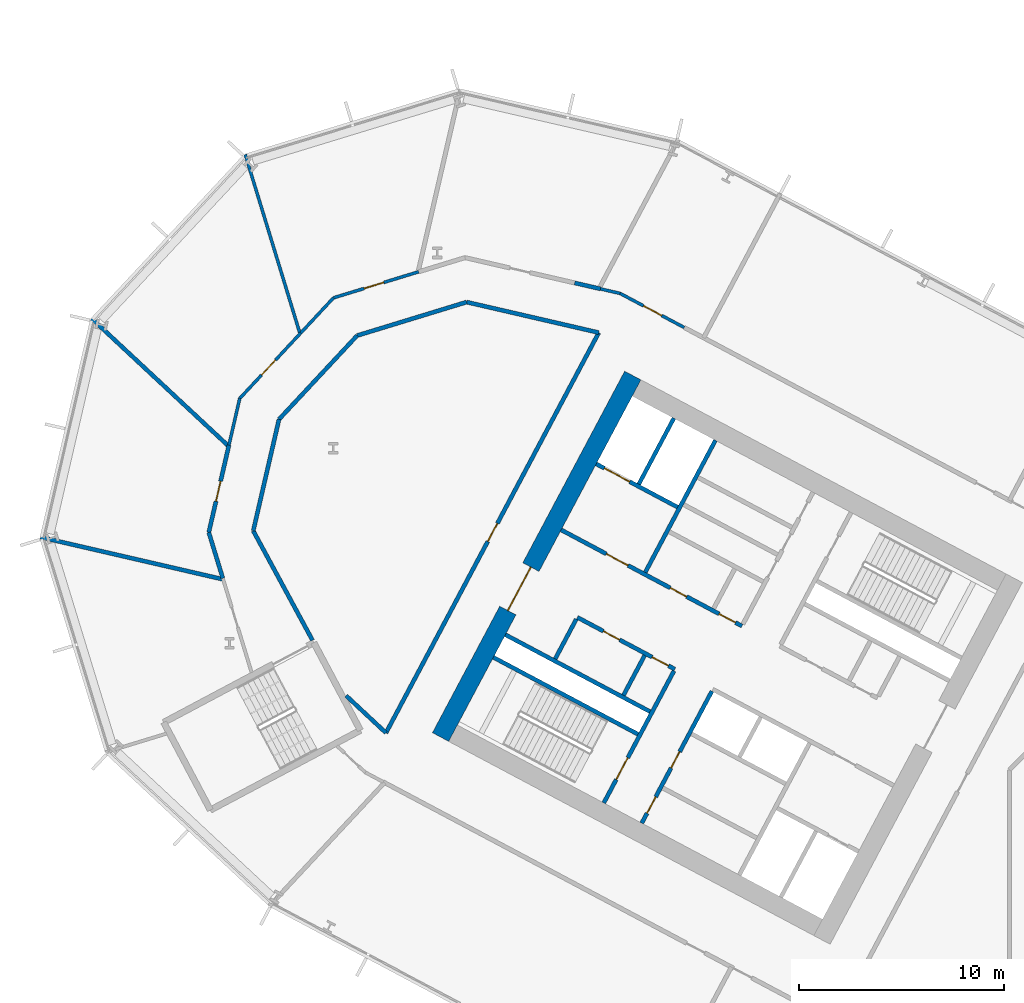
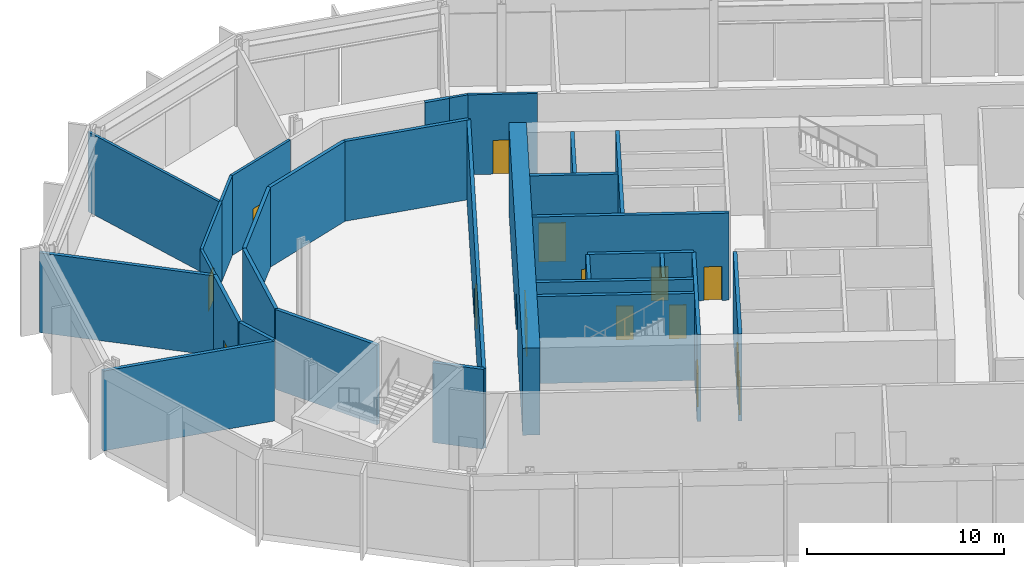
# One storey, part 13 of 31: 31 walls, 15 doors, 15 openings.
"""IFC4 building model written with IfcOpenShell, lengths in metres."""

from ifc_helpers import new_model, si_unit, direction, frame, frame_2d, origin, place, context, subcontext, project, spatial, rectangle, extrude, material, layer, layer_set, type_object, element, fill, save


model = new_model("IFC4")

# Units and contexts
model_context = context("Model", 3, precision=1e-05, world=origin(), true_north=direction((0.0, 1.0)))
body_context = subcontext(model_context, "Body", "Model", "MODEL_VIEW")
ifc_project = project(units=[si_unit("LENGTHUNIT", "METRE"), si_unit("AREAUNIT", "SQUARE_METRE"), si_unit("VOLUMEUNIT", "CUBIC_METRE"), si_unit("PLANEANGLEUNIT", "RADIAN"), si_unit("MASSUNIT", "GRAM", prefix="KILO")], contexts=[model_context])

# Site, building, storey
site_placement = place(None, origin())
site = spatial("IfcSite", under=ifc_project, at=site_placement, CompositionType="ELEMENT")
building_placement = place(site_placement, origin())
building = spatial("IfcBuilding", under=site, at=building_placement, Name="Cormorant Relay Tower", CompositionType="ELEMENT")
storey_placement = place(building_placement, frame((0.0, 0.0, 12.199951171875)))
storey = spatial("IfcBuildingStorey", under=building, at=storey_placement, Name="L02", CompositionType="ELEMENT", Elevation=12.199951171875)

# Wall
ifc_material_1 = material(Name="Concrete 40 MPa", Category="concrete")
ifc_layer_1 = layer(ifc_material_1, 0.199951171875)
ifc_layer_set_1 = layer_set([ifc_layer_1], Name="Core internal wall 200")
wall_type_1 = type_object("IfcWallType", Name="Core internal wall 200", PredefinedType="SOLIDWALL", material=ifc_layer_set_1)
wall_1_placement = place(storey_placement, frame((-31.41259765625, 14.663818359375, 0.0), z_axis=(0.0, 0.0, 1.0), x_axis=(-0.469533832133, -0.882914480843, 0.0)))
element("IfcWall", 1, at=wall_1_placement, inside=storey, type_object=wall_type_1, Name="L02 core A shaft and room wall", PredefinedType="SOLIDWALL", context=body_context, shape_type="SweptSolid", body=[
    extrude(rectangle(XDim=2.199951171875, YDim=0.199951171875, at=frame_2d((1.10009765625, 0.0))), origin(), (0.0, 0.0, 1.0), 5.400146484375),
])

# Wall, openings, doors
ifc_material_2 = material(Name="Concrete 50 MPa", Category="concrete")
ifc_layer_2 = layer(ifc_material_2, 0.199951171875)
ifc_layer_set_2 = layer_set([ifc_layer_2], Name="Core shaft wall 200")
wall_type_2 = type_object("IfcWallType", Name="Core shaft wall 200", PredefinedType="SHEAR", material=ifc_layer_set_2)
wall_2_placement = place(storey_placement, frame((-28.128173828125, 12.91748046875, 0.0), z_axis=(0.0, 0.0, 1.0), x_axis=(-0.469454336211, -0.882956752176, 0.0)))
wall_2 = element("IfcWall", 2, at=wall_2_placement, inside=storey, type_object=wall_type_2, Name="L02 core A shaft wall", PredefinedType="SHEAR", context=body_context, shape_type="SweptSolid", body=[
    extrude(rectangle(XDim=7.300048828125, YDim=0.199951171875, at=frame_2d((3.64990234375, 0.0))), origin(), (0.0, 0.0, 1.0), 5.400146484375),
])
opening_1_placement = place(wall_2_placement, frame((3.35009765625, 0.0, 0.0)))
opening_1 = element("IfcOpeningElement", 3, at=opening_1_placement, cuts=wall_2, Name="Opening CDD-069", PredefinedType="OPENING", context=body_context, shape_type="SweptSolid", body=[
    extrude(rectangle(XDim=0.89990234375, YDim=2.10009765625, at=frame_2d((0.449951171875, 1.050048828125))), frame((0.0, 0.10986328125, 0.0), z_axis=(0.0, -1.0, 0.0), x_axis=(1.0, 0.0, 0.0)), (0.0, 0.0, 1.0), 0.219970703125),
])
opening_2_placement = place(wall_2_placement, frame((5.85009765625, 0.0, 0.0)))
opening_2 = element("IfcOpeningElement", 4, at=opening_2_placement, cuts=wall_2, Name="Opening CDD-070", PredefinedType="OPENING", context=body_context, shape_type="SweptSolid", body=[
    extrude(rectangle(XDim=0.89990234375, YDim=2.10009765625, at=frame_2d((0.449951171875, 1.050048828125))), frame((0.0, 0.10986328125, 0.0), z_axis=(0.0, -1.0, 0.0), x_axis=(1.0, 0.0, 0.0)), (0.0, 0.0, 1.0), 0.219970703125),
])
ifc_material_3 = material(Name="Steel fire door", Category="steel")
door_type_1 = type_object("IfcDoorType", Name="Core room door 900x2100", OperationType="SINGLE_SWING_LEFT", PredefinedType="DOOR", material=ifc_material_3)
door_1_placement = place(opening_1_placement, origin())
door_1 = element("IfcDoor", 5, at=door_1_placement, inside=storey, type_object=door_type_1, Name="Core room door 900x2100", OperationType="SINGLE_SWING_LEFT", OverallHeight=2.10009765625, OverallWidth=0.89990234375, PredefinedType="DOOR", context=body_context, shape_type="SweptSolid", body=[
    extrude(rectangle(XDim=0.89990234375, YDim=2.10009765625, at=frame_2d((0.449951171875, 1.050048828125))), frame((0.0, 0.02490234375, 0.0), z_axis=(0.0, -1.0, 0.0), x_axis=(1.0, 0.0, 0.0)), (0.0, 0.0, 1.0), 0.050048828125),
])
fill(opening_1, door_1)
door_2_placement = place(opening_2_placement, origin())
door_2 = element("IfcDoor", 6, at=door_2_placement, inside=storey, type_object=door_type_1, Name="Core room door 900x2100", OperationType="SINGLE_SWING_LEFT", OverallHeight=2.10009765625, OverallWidth=0.89990234375, PredefinedType="DOOR", context=body_context, shape_type="SweptSolid", body=[
    extrude(rectangle(XDim=0.89990234375, YDim=2.10009765625, at=frame_2d((0.449951171875, 1.050048828125))), frame((0.0, 0.02490234375, 0.0), z_axis=(0.0, -1.0, 0.0), x_axis=(1.0, 0.0, 0.0)), (0.0, 0.0, 1.0), 0.050048828125),
])
fill(opening_2, door_2)

# Wall, opening, door
wall_3_placement = place(storey_placement, frame((-29.982421875, 13.9033203125, 0.0), z_axis=(0.0, 0.0, 1.0), x_axis=(-0.469454336211, -0.882956752176, 0.0)))
wall_3 = element("IfcWall", 7, at=wall_3_placement, inside=storey, type_object=wall_type_2, Name="L02 core A shaft wall", PredefinedType="SHEAR", context=body_context, shape_type="SweptSolid", body=[
    extrude(rectangle(XDim=7.300048828125, YDim=0.199951171875, at=frame_2d((3.64990234375, 0.0))), origin(), (0.0, 0.0, 1.0), 5.400146484375),
])
opening_3_placement = place(wall_3_placement, frame((4.800048828125, 0.0, 0.0)))
opening_3 = element("IfcOpeningElement", 8, at=opening_3_placement, cuts=wall_3, Name="Opening CDB-020", PredefinedType="OPENING", context=body_context, shape_type="SweptSolid", body=[
    extrude(rectangle(XDim=1.199951171875, YDim=2.10009765625, at=frame_2d((0.60009765625, 1.050048828125))), frame((0.0, 0.10986328125, 0.0), z_axis=(0.0, -1.0, 0.0), x_axis=(1.0, 0.0, 0.0)), (0.0, 0.0, 1.0), 0.219970703125),
])
ifc_material_4 = material(Name="Steel fire door", Category="steel")
door_type_2 = type_object("IfcDoorType", Name="Core stair door 1200x2100", OperationType="SINGLE_SWING_LEFT", PredefinedType="DOOR", material=ifc_material_4)
door_3_placement = place(opening_3_placement, frame((1.199951171875, 0.0, 0.0), z_axis=(0.0, 0.0, 1.0), x_axis=(-1.0, 0.0, 0.0)))
door_3 = element("IfcDoor", 9, at=door_3_placement, inside=storey, type_object=door_type_2, Name="Core stair door 1200x2100", OperationType="SINGLE_SWING_RIGHT", OverallHeight=2.10009765625, OverallWidth=1.199951171875, PredefinedType="DOOR", context=body_context, shape_type="SweptSolid", body=[
    extrude(rectangle(XDim=1.199951171875, YDim=2.10009765625, at=frame_2d((0.60009765625, 1.050048828125))), frame((0.0, 0.02490234375, 0.0), z_axis=(0.0, -1.0, 0.0), x_axis=(1.0, 0.0, 0.0)), (0.0, 0.0, 1.0), 0.050048828125),
])
fill(opening_3, door_3)

# Walls
wall_4_placement = place(storey_placement, frame((-27.955322265625, 25.170654296875, 0.0), z_axis=(0.0, 0.0, 1.0), x_axis=(-0.469480409012, -0.88294288918, 0.0)))
element("IfcWall", 10, at=wall_4_placement, inside=storey, type_object=wall_type_2, Name="L02 core A shaft wall", PredefinedType="SHEAR", context=body_context, shape_type="SweptSolid", body=[
    extrude(rectangle(XDim=7.300048828125, YDim=0.199951171875, at=frame_2d((3.64990234375, 0.0))), origin(), (0.0, 0.0, 1.0), 5.400146484375),
])
wall_5_placement = place(storey_placement, frame((-34.750244140625, 16.4384765625, 0.0), z_axis=(0.0, 0.0, 1.0), x_axis=(-0.469401318492, -0.882984938828, 0.0)))
element("IfcWall", 11, at=wall_5_placement, inside=storey, type_object=wall_type_2, Name="L02 core A shaft wall", PredefinedType="SHEAR", context=body_context, shape_type="SweptSolid", body=[
    extrude(rectangle(XDim=2.199951171875, YDim=0.199951171875, at=frame_2d((1.10009765625, 0.0))), origin(), (0.0, 0.0, 1.0), 5.400146484375),
])
wall_6_placement = place(storey_placement, frame((-29.986083984375, 26.250244140625, 0.0), z_axis=(0.0, 0.0, 1.0), x_axis=(-0.469494272526, -0.882935517501, 0.0)))
element("IfcWall", 12, at=wall_6_placement, inside=storey, type_object=wall_type_2, Name="L02 core A shaft wall", PredefinedType="SHEAR", context=body_context, shape_type="SweptSolid", body=[
    extrude(rectangle(XDim=3.64990234375, YDim=0.199951171875, at=frame_2d((1.824951171875, 0.0))), origin(), (0.0, 0.0, 1.0), 5.400146484375),
])

# Wall, opening, door
wall_7_placement = place(storey_placement, frame((-29.80419921875, 21.906494140625, 0.0), z_axis=(0.0, 0.0, 1.0), x_axis=(-0.882960433586, 0.469447412093, 0.0)))
wall_7 = element("IfcWall", 13, at=wall_7_placement, inside=storey, type_object=wall_type_2, Name="L02 core A shaft wall", PredefinedType="SHEAR", context=body_context, shape_type="SweptSolid", body=[
    extrude(rectangle(XDim=4.5, YDim=0.199951171875, at=frame_2d((2.25, 0.0))), origin(), (0.0, 0.0, 1.0), 5.400146484375),
])
opening_4_placement = place(wall_7_placement, frame((2.64990234375, 0.0, 0.0)))
opening_4 = element("IfcOpeningElement", 14, at=opening_4_placement, cuts=wall_7, Name="Opening LD3-007", PredefinedType="OPENING", context=body_context, shape_type="SweptSolid", body=[
    extrude(rectangle(XDim=1.39990234375, YDim=2.39990234375, at=frame_2d((0.699951171875, 1.199951171875))), frame((0.0, 0.10986328125, 0.0), z_axis=(0.0, -1.0, 0.0), x_axis=(1.0, 0.0, 0.0)), (0.0, 0.0, 1.0), 0.219970703125),
])
ifc_material_5 = material(Name="Stainless steel 316", Category="steel")
door_type_3 = type_object("IfcDoorType", Name="Lift landing door 1400x2400", OperationType="DOUBLE_DOOR_SLIDING", PredefinedType="DOOR", material=ifc_material_5)
door_4_placement = place(opening_4_placement, origin())
door_4 = element("IfcDoor", 15, at=door_4_placement, inside=storey, type_object=door_type_3, Name="SV1 landing door", OperationType="DOUBLE_DOOR_SLIDING", OverallHeight=2.39990234375, OverallWidth=1.39990234375, PredefinedType="DOOR", context=body_context, shape_type="SweptSolid", body=[
    extrude(rectangle(XDim=1.39990234375, YDim=2.39990234375, at=frame_2d((0.699951171875, 1.199951171875))), frame((0.0, 0.02490234375, 0.0), z_axis=(0.0, -1.0, 0.0), x_axis=(1.0, 0.0, 0.0)), (0.0, 0.0, 1.0), 0.050048828125),
])
fill(opening_4, door_4)

# Wall, openings, doors
wall_8_placement = place(storey_placement, frame((-26.66162109375, 16.1015625, 0.0), z_axis=(0.0, 0.0, 1.0), x_axis=(-0.882940221191, 0.469485426614, 0.0)))
wall_8 = element("IfcWall", 16, at=wall_8_placement, inside=storey, type_object=wall_type_2, Name="L02 core A shaft wall", PredefinedType="SHEAR", context=body_context, shape_type="SweptSolid", body=[
    extrude(rectangle(XDim=10.0, YDim=0.199951171875, at=frame_2d((5.0, 0.0))), origin(), (0.0, 0.0, 1.0), 5.400146484375),
])
opening_5_placement = place(wall_8_placement, frame((6.300048828125, 0.0, 0.0)))
opening_5 = element("IfcOpeningElement", 17, at=opening_5_placement, cuts=wall_8, Name="Opening CDC-014", PredefinedType="OPENING", context=body_context, shape_type="SweptSolid", body=[
    extrude(rectangle(XDim=1.199951171875, YDim=2.10009765625, at=frame_2d((0.60009765625, 1.050048828125))), frame((0.0, 0.10986328125, 0.0), z_axis=(0.0, -1.0, 0.0), x_axis=(1.0, 0.0, 0.0)), (0.0, 0.0, 1.0), 0.219970703125),
])
opening_6_placement = place(wall_8_placement, frame((0.360107421875, 0.0, 0.0)))
opening_6 = element("IfcOpeningElement", 18, at=opening_6_placement, cuts=wall_8, Name="Opening CDD-067", PredefinedType="OPENING", context=body_context, shape_type="SweptSolid", body=[
    extrude(rectangle(XDim=0.89990234375, YDim=2.10009765625, at=frame_2d((0.449951171875, 1.050048828125))), frame((0.0, 0.10986328125, 0.0), z_axis=(0.0, -1.0, 0.0), x_axis=(1.0, 0.0, 0.0)), (0.0, 0.0, 1.0), 0.219970703125),
])
opening_7_placement = place(wall_8_placement, frame((3.06005859375, 0.0, 0.0)))
opening_7 = element("IfcOpeningElement", 19, at=opening_7_placement, cuts=wall_8, Name="Opening CDD-068", PredefinedType="OPENING", context=body_context, shape_type="SweptSolid", body=[
    extrude(rectangle(XDim=0.89990234375, YDim=2.10009765625, at=frame_2d((0.449951171875, 1.050048828125))), frame((0.0, 0.10986328125, 0.0), z_axis=(0.0, -1.0, 0.0), x_axis=(1.0, 0.0, 0.0)), (0.0, 0.0, 1.0), 0.219970703125),
])
ifc_material_6 = material(Name="Steel fire door", Category="steel")
door_type_4 = type_object("IfcDoorType", Name="Core lobby door 1200x2100", OperationType="SINGLE_SWING_LEFT", PredefinedType="DOOR", material=ifc_material_6)
door_5_placement = place(opening_5_placement, origin())
door_5 = element("IfcDoor", 20, at=door_5_placement, inside=storey, type_object=door_type_4, Name="Core lobby door 1200x2100", OperationType="SINGLE_SWING_LEFT", OverallHeight=2.10009765625, OverallWidth=1.199951171875, PredefinedType="DOOR", context=body_context, shape_type="SweptSolid", body=[
    extrude(rectangle(XDim=1.199951171875, YDim=2.10009765625, at=frame_2d((0.60009765625, 1.050048828125))), frame((0.0, 0.02490234375, 0.0), z_axis=(0.0, -1.0, 0.0), x_axis=(1.0, 0.0, 0.0)), (0.0, 0.0, 1.0), 0.050048828125),
])
fill(opening_5, door_5)
door_6_placement = place(opening_6_placement, origin())
door_6 = element("IfcDoor", 21, at=door_6_placement, inside=storey, type_object=door_type_1, Name="Core room door 900x2100", OperationType="SINGLE_SWING_LEFT", OverallHeight=2.10009765625, OverallWidth=0.89990234375, PredefinedType="DOOR", context=body_context, shape_type="SweptSolid", body=[
    extrude(rectangle(XDim=0.89990234375, YDim=2.10009765625, at=frame_2d((0.449951171875, 1.050048828125))), frame((0.0, 0.02490234375, 0.0), z_axis=(0.0, -1.0, 0.0), x_axis=(1.0, 0.0, 0.0)), (0.0, 0.0, 1.0), 0.050048828125),
])
fill(opening_6, door_6)
door_7_placement = place(opening_7_placement, frame((0.89990234375, 0.0, 0.0), z_axis=(0.0, 0.0, 1.0), x_axis=(-1.0, 0.0, 0.0)))
door_7 = element("IfcDoor", 22, at=door_7_placement, inside=storey, type_object=door_type_1, Name="Core room door 900x2100", OperationType="SINGLE_SWING_RIGHT", OverallHeight=2.10009765625, OverallWidth=0.89990234375, PredefinedType="DOOR", context=body_context, shape_type="SweptSolid", body=[
    extrude(rectangle(XDim=0.89990234375, YDim=2.10009765625, at=frame_2d((0.449951171875, 1.050048828125))), frame((0.0, 0.02490234375, 0.0), z_axis=(0.0, -1.0, 0.0), x_axis=(1.0, 0.0, 0.0)), (0.0, 0.0, 1.0), 0.050048828125),
])
fill(opening_7, door_7)

wall_9_placement = place(storey_placement, frame((-29.935302734375, 13.991455078125, 0.0), z_axis=(0.0, 0.0, 1.0), x_axis=(-0.882952937579, 0.469461510692, 0.0)))
wall_9 = element("IfcWall", 23, at=wall_9_placement, inside=storey, type_object=wall_type_2, Name="L02 core A shaft wall", PredefinedType="SHEAR", context=body_context, shape_type="SweptSolid", body=[
    extrude(rectangle(XDim=5.400146484375, YDim=0.199951171875, at=frame_2d((2.7001953125, 0.0))), origin(), (0.0, 0.0, 1.0), 5.400146484375),
])
opening_8_placement = place(wall_9_placement, frame((0.360107421875, 0.0, 0.0)))
opening_8 = element("IfcOpeningElement", 24, at=opening_8_placement, cuts=wall_9, Name="Opening CDD-063", PredefinedType="OPENING", context=body_context, shape_type="SweptSolid", body=[
    extrude(rectangle(XDim=0.89990234375, YDim=2.10009765625, at=frame_2d((0.449951171875, 1.050048828125))), frame((0.0, 0.10986328125, 0.0), z_axis=(0.0, -1.0, 0.0), x_axis=(1.0, 0.0, 0.0)), (0.0, 0.0, 1.0), 0.219970703125),
])
opening_9_placement = place(wall_9_placement, frame((3.06005859375, 0.0, 0.0)))
opening_9 = element("IfcOpeningElement", 25, at=opening_9_placement, cuts=wall_9, Name="Opening CDD-064", PredefinedType="OPENING", context=body_context, shape_type="SweptSolid", body=[
    extrude(rectangle(XDim=0.89990234375, YDim=2.10009765625, at=frame_2d((0.449951171875, 1.050048828125))), frame((0.0, 0.10986328125, 0.0), z_axis=(0.0, -1.0, 0.0), x_axis=(1.0, 0.0, 0.0)), (0.0, 0.0, 1.0), 0.219970703125),
])
door_8_placement = place(opening_8_placement, origin())
door_8 = element("IfcDoor", 26, at=door_8_placement, inside=storey, type_object=door_type_1, Name="Core room door 900x2100", OperationType="SINGLE_SWING_LEFT", OverallHeight=2.10009765625, OverallWidth=0.89990234375, PredefinedType="DOOR", context=body_context, shape_type="SweptSolid", body=[
    extrude(rectangle(XDim=0.89990234375, YDim=2.10009765625, at=frame_2d((0.449951171875, 1.050048828125))), frame((0.0, 0.02490234375, 0.0), z_axis=(0.0, -1.0, 0.0), x_axis=(1.0, 0.0, 0.0)), (0.0, 0.0, 1.0), 0.050048828125),
])
fill(opening_8, door_8)
door_9_placement = place(opening_9_placement, origin())
door_9 = element("IfcDoor", 27, at=door_9_placement, inside=storey, type_object=door_type_1, Name="Core room door 900x2100", OperationType="SINGLE_SWING_LEFT", OverallHeight=2.10009765625, OverallWidth=0.89990234375, PredefinedType="DOOR", context=body_context, shape_type="SweptSolid", body=[
    extrude(rectangle(XDim=0.89990234375, YDim=2.10009765625, at=frame_2d((0.449951171875, 1.050048828125))), frame((0.0, 0.02490234375, 0.0), z_axis=(0.0, -1.0, 0.0), x_axis=(1.0, 0.0, 0.0)), (0.0, 0.0, 1.0), 0.050048828125),
])
fill(opening_9, door_9)

# Walls
for number, where, z_axis, x_axis, name in (
    (28, (-31.150390625, 11.91943359375, 0.0), (0.0, 0.0, 1.0), (-0.882940221191, 0.469485426614, 0.0), "L02 core A shaft wall"),
    (29, (-31.7373046875, 10.815673828125, 0.0), (0.0, 0.0, 1.0), (-0.882940221191, 0.469485426614, 0.0), "L02 core A shaft wall"),
):
    element("IfcWall", number, at=place(storey_placement, frame(where, z_axis=z_axis, x_axis=x_axis)), inside=storey, type_object=wall_type_2, Name=name, PredefinedType="SHEAR", context=body_context, shape_type="SweptSolid", body=[
        extrude(rectangle(XDim=8.0, YDim=0.199951171875, at=frame_2d((4.0, 0.0))), origin(), (0.0, 0.0, 1.0), 5.400146484375),
    ])

# Wall, opening, door
ifc_material_7 = material(Name="Concrete 70 MPa", Category="concrete")
ifc_layer_3 = layer(ifc_material_7, 0.89990234375)
ifc_layer_set_3 = layer_set([ifc_layer_3], Name="Core wall 900")
wall_type_3 = type_object("IfcWallType", Name="Core wall 900", PredefinedType="SHEAR", material=ifc_layer_set_3)
wall_10_placement = place(storey_placement, frame((-31.99169921875, 28.3359375, 0.0), z_axis=(0.0, 0.0, 1.0), x_axis=(-0.46947084998, -0.882947971864, 0.0)))
wall_10 = element("IfcWall", 30, at=wall_10_placement, inside=storey, type_object=wall_type_3, Name="L02 core A wall", PredefinedType="SHEAR", context=body_context, shape_type="SweptSolid", body=[
    extrude(rectangle(XDim=20.0, YDim=0.89990234375, at=frame_2d((10.0, 0.0))), origin(), (0.0, 0.0, 1.0), 5.400146484375),
])
opening_10_placement = place(wall_10_placement, frame((10.60009765625, 0.0, 0.0)))
opening_10 = element("IfcOpeningElement", 31, at=opening_10_placement, cuts=wall_10, Name="Opening CDA-014", PredefinedType="OPENING", context=body_context, shape_type="SweptSolid", body=[
    extrude(rectangle(XDim=2.39990234375, YDim=2.39990234375, at=frame_2d((1.199951171875, 1.199951171875))), frame((0.0, 0.4599609375, 0.0), z_axis=(0.0, -1.0, 0.0), x_axis=(1.0, 0.0, 0.0)), (0.0, 0.0, 1.0), 0.919921875),
])
ifc_material_8 = material(Name="Steel fire door", Category="steel")
door_type_5 = type_object("IfcDoorType", Name="Core lobby door 2400x2400", OperationType="DOUBLE_DOOR_SINGLE_SWING", PredefinedType="DOOR", material=ifc_material_8)
door_10_placement = place(opening_10_placement, origin())
door_10 = element("IfcDoor", 32, at=door_10_placement, inside=storey, type_object=door_type_5, Name="Core lobby door 2400x2400", OperationType="DOUBLE_DOOR_SINGLE_SWING", OverallHeight=2.39990234375, OverallWidth=2.39990234375, PredefinedType="DOOR", context=body_context, shape_type="SweptSolid", body=[
    extrude(rectangle(XDim=2.39990234375, YDim=2.39990234375, at=frame_2d((1.199951171875, 1.199951171875))), frame((0.0, 0.02490234375, 0.0), z_axis=(0.0, -1.0, 0.0), x_axis=(1.0, 0.0, 0.0)), (0.0, 0.0, 1.0), 0.050048828125),
])
fill(opening_10, door_10)

# Walls
ifc_material_9 = material(Name="Fire-rated gypsum board partition")
ifc_layer_4 = layer(ifc_material_9, 0.199951171875)
ifc_layer_set_4 = layer_set([ifc_layer_4], Name="Fire-rated gypsum partition 200")
wall_type_4 = type_object("IfcWallType", Name="Fire-rated gypsum partition 200", PredefinedType="PARTITIONING", material=ifc_layer_set_4)
wall_11_placement = place(storey_placement, frame((-52.0, 18.3798828125, 0.0), z_axis=(0.0, 0.0, 1.0), x_axis=(-0.974364676657, 0.224974391617, 0.0)))
element("IfcWall", 33, at=wall_11_placement, inside=storey, type_object=wall_type_4, Name="wall/L02/part/1", PredefinedType="PARTITIONING", context=body_context, shape_type="SweptSolid", body=[
    extrude(rectangle(XDim=9.15673828125, YDim=0.199951171875, at=frame_2d((4.578369140625, 0.0))), origin(), (0.0, 0.0, 1.0), 4.949951171875),
])
wall_12_placement = place(storey_placement, frame((-58.427001953125, 31.125, 0.0), z_axis=(0.0, 0.0, 1.0), x_axis=(0.731471018411, -0.681872531508, 0.0)))
element("IfcWall", 34, at=wall_12_placement, inside=storey, type_object=wall_type_4, Name="wall/L02/part/2", PredefinedType="PARTITIONING", context=body_context, shape_type="SweptSolid", body=[
    extrude(rectangle(XDim=9.155517578125, YDim=0.199951171875, at=frame_2d((4.57763671875, 0.0))), origin(), (0.0, 0.0, 1.0), 4.949951171875),
])

# Wall, opening, door
wall_13_placement = place(storey_placement, frame((-51.717041015625, 24.93505859375, 0.0), z_axis=(0.0, 0.0, 1.0), x_axis=(-0.224936958004, -0.974373319074, 0.0)))
wall_13 = element("IfcWall", 35, at=wall_13_placement, inside=storey, type_object=wall_type_4, Name="wall/L02/part/4", PredefinedType="PARTITIONING", context=body_context, shape_type="SweptSolid", body=[
    extrude(rectangle(XDim=4.3740234375, YDim=0.199951171875, at=frame_2d((2.18701171875, 0.0))), origin(), (0.0, 0.0, 1.0), 4.949951171875),
])
opening_11_placement = place(wall_13_placement, frame((1.81103515625, 0.0, 0.0)))
opening_11 = element("IfcOpeningElement", 36, at=opening_11_placement, cuts=wall_13, Name="Opening FD1-016", PredefinedType="OPENING", context=body_context, shape_type="SweptSolid", body=[
    extrude(rectangle(XDim=1.0, YDim=2.10009765625, at=frame_2d((0.5, 1.050048828125))), frame((0.0, 0.10986328125, 0.0), z_axis=(0.0, -1.0, 0.0), x_axis=(1.0, 0.0, 0.0)), (0.0, 0.0, 1.0), 0.219970703125),
])
ifc_material_10 = material(Name="Fire-rated steel door", Category="steel")
door_type_6 = type_object("IfcDoorType", Name="Fire door 1000 x 2100", OperationType="SINGLE_SWING_LEFT", PredefinedType="DOOR", material=ifc_material_10)
door_11_placement = place(opening_11_placement, frame((1.0, 0.0, 0.0), z_axis=(0.0, 0.0, 1.0), x_axis=(-1.0, 0.0, 0.0)))
door_11 = element("IfcDoor", 37, at=door_11_placement, inside=storey, type_object=door_type_6, Name="door/L02/18", OperationType="SINGLE_SWING_RIGHT", OverallHeight=2.10009765625, OverallWidth=1.0, PredefinedType="DOOR", context=body_context, shape_type="SweptSolid", body=[
    extrude(rectangle(XDim=1.0, YDim=2.10009765625, at=frame_2d((0.5, 1.050048828125))), frame((0.0, 0.02490234375, 0.0), z_axis=(0.0, -1.0, 0.0), x_axis=(1.0, 0.0, 0.0)), (0.0, 0.0, 1.0), 0.050048828125),
])
fill(opening_11, door_11)

# Walls
wall_14_placement = place(storey_placement, frame((-52.700927734375, 20.673095703125, 0.0), z_axis=(0.0, 0.0, 1.0), x_axis=(0.292364174208, -0.95630705824, 0.0)))
element("IfcWall", 38, at=wall_14_placement, inside=storey, type_object=wall_type_4, Name="wall/L02/part/5", PredefinedType="PARTITIONING", context=body_context, shape_type="SweptSolid", body=[
    extrude(rectangle(XDim=2.34228515625, YDim=0.199951171875, at=frame_2d((1.171142578125, 0.0))), origin(), (0.0, 0.0, 1.0), 4.949951171875),
])
wall_15_placement = place(storey_placement, frame((-47.635498046875, 15.404296875, 0.0), z_axis=(0.0, 0.0, 1.0), x_axis=(-0.476091616607, 0.879395686024, 0.0)))
element("IfcWall", 39, at=wall_15_placement, inside=storey, type_object=wall_type_4, Name="wall/L02/part/14", PredefinedType="PARTITIONING", context=body_context, shape_type="SweptSolid", body=[
    extrude(rectangle(XDim=6.07763671875, YDim=0.199951171875, at=frame_2d((3.038818359375, 0.0))), origin(), (0.0, 0.0, 1.0), 4.949951171875),
])
wall_16_placement = place(storey_placement, frame((-50.529052734375, 20.7490234375, 0.0), z_axis=(0.0, 0.0, 1.0), x_axis=(0.224961533954, 0.974367645317, 0.0)))
element("IfcWall", 40, at=wall_16_placement, inside=storey, type_object=wall_type_4, Name="wall/L02/part/15", PredefinedType="PARTITIONING", context=body_context, shape_type="SweptSolid", body=[
    extrude(rectangle(XDim=5.59228515625, YDim=0.199951171875, at=frame_2d((2.796142578125, 0.0))), origin(), (0.0, 0.0, 1.0), 4.949951171875),
])
wall_17_placement = place(storey_placement, frame((-49.27099609375, 26.197998046875, 0.0), z_axis=(0.0, 0.0, 1.0), x_axis=(0.682075535217, 0.73128172701, 0.0)))
element("IfcWall", 41, at=wall_17_placement, inside=storey, type_object=wall_type_4, Name="wall/L02/part/16", PredefinedType="PARTITIONING", context=body_context, shape_type="SweptSolid", body=[
    extrude(rectangle(XDim=5.591796875, YDim=0.199951171875, at=frame_2d((2.7958984375, 0.0))), origin(), (0.0, 0.0, 1.0), 4.949951171875),
])
wall_18_placement = place(storey_placement, frame((-45.45703125, 30.287109375, 0.0), z_axis=(0.0, 0.0, 1.0), x_axis=(0.956290198193, 0.292419316803, 0.0)))
element("IfcWall", 42, at=wall_18_placement, inside=storey, type_object=wall_type_4, Name="wall/L02/part/17", PredefinedType="PARTITIONING", context=body_context, shape_type="SweptSolid", body=[
    extrude(rectangle(XDim=5.59130859375, YDim=0.199951171875, at=frame_2d((2.795654296875, 0.0))), origin(), (0.0, 0.0, 1.0), 4.949951171875),
])
wall_19_placement = place(storey_placement, frame((-40.110107421875, 31.922119140625, 0.0), z_axis=(0.0, 0.0, 1.0), x_axis=(0.974361387977, -0.224988634423, 0.0)))
element("IfcWall", 43, at=wall_19_placement, inside=storey, type_object=wall_type_4, Name="wall/L02/part/18", PredefinedType="PARTITIONING", context=body_context, shape_type="SweptSolid", body=[
    extrude(rectangle(XDim=6.6279296875, YDim=0.199951171875, at=frame_2d((3.31396484375, 0.0))), origin(), (0.0, 0.0, 1.0), 4.949951171875),
])

# Wall, opening, door
wall_20_placement = place(storey_placement, frame((-33.652099609375, 30.430908203125, 0.0), z_axis=(0.0, 0.0, 1.0), x_axis=(-0.469497028511, -0.882934052021, 0.0)))
wall_20 = element("IfcWall", 44, at=wall_20_placement, inside=storey, type_object=wall_type_4, Name="wall/L02/part/19", PredefinedType="PARTITIONING", context=body_context, shape_type="SweptSolid", body=[
    extrude(rectangle(XDim=22.140869140625, YDim=0.199951171875, at=frame_2d((11.0703125, 0.0))), origin(), (0.0, 0.0, 1.0), 4.949951171875),
])
opening_12_placement = place(wall_20_placement, frame((10.550048828125, 0.0, 0.0)))
opening_12 = element("IfcOpeningElement", 45, at=opening_12_placement, cuts=wall_20, Name="Opening FD1-011", PredefinedType="OPENING", context=body_context, shape_type="SweptSolid", body=[
    extrude(rectangle(XDim=1.0, YDim=2.10009765625, at=frame_2d((0.5, 1.050048828125))), frame((0.0, 0.10986328125, 0.0), z_axis=(0.0, -1.0, 0.0), x_axis=(1.0, 0.0, 0.0)), (0.0, 0.0, 1.0), 0.219970703125),
])
door_12_placement = place(opening_12_placement, frame((1.0, 0.0, 0.0), z_axis=(0.0, 0.0, 1.0), x_axis=(-1.0, 0.0, 0.0)))
door_12 = element("IfcDoor", 46, at=door_12_placement, inside=storey, type_object=door_type_6, Name="door/L02/1", OperationType="SINGLE_SWING_RIGHT", OverallHeight=2.10009765625, OverallWidth=1.0, PredefinedType="DOOR", context=body_context, shape_type="SweptSolid", body=[
    extrude(rectangle(XDim=1.0, YDim=2.10009765625, at=frame_2d((0.5, 1.050048828125))), frame((0.0, 0.02490234375, 0.0), z_axis=(0.0, -1.0, 0.0), x_axis=(1.0, 0.0, 0.0)), (0.0, 0.0, 1.0), 0.050048828125),
])
fill(opening_12, door_12)

# Walls
wall_21_placement = place(storey_placement, frame((-44.047119140625, 10.882080078125, 0.0), z_axis=(0.0, 0.0, 1.0), x_axis=(-0.731253434149, 0.682105867916, 0.0)))
element("IfcWall", 47, at=wall_21_placement, inside=storey, type_object=wall_type_4, Name="wall/L02/part/20", PredefinedType="PARTITIONING", context=body_context, shape_type="SweptSolid", body=[
    extrude(rectangle(XDim=2.66259765625, YDim=0.199951171875, at=frame_2d((1.331298828125, 0.0))), origin(), (0.0, 0.0, 1.0), 4.949951171875),
])
wall_22_placement = place(storey_placement, frame((-34.833984375, 32.85888671875, 0.0), z_axis=(0.0, 0.0, 1.0), x_axis=(0.974505369621, -0.224364178469, 0.0)))
element("IfcWall", 48, at=wall_22_placement, inside=storey, type_object=wall_type_4, Name="wall/L02/part/28", PredefinedType="PARTITIONING", context=body_context, shape_type="SweptSolid", body=[
    extrude(rectangle(XDim=1.2958984375, YDim=0.199951171875, at=frame_2d((0.64794921875, 0.0))), origin(), (0.0, 0.0, 1.0), 4.949951171875),
])

# Wall, opening, door
ifc_material_11 = material(Name="Gypsum board partition")
ifc_layer_5 = layer(ifc_material_11, 0.14990234375)
ifc_layer_set_5 = layer_set([ifc_layer_5], Name="Gypsum board partition 150")
wall_type_5 = type_object("IfcWallType", Name="Gypsum board partition 150", PredefinedType="PARTITIONING", material=ifc_layer_set_5)
wall_23_placement = place(storey_placement, frame((-48.20703125, 30.4169921875, 0.0), z_axis=(0.0, 0.0, 1.0), x_axis=(-0.681976112234, -0.731374447422, 0.0)))
wall_23 = element("IfcWall", 49, at=wall_23_placement, inside=storey, type_object=wall_type_5, Name="wall/L02/part/7", PredefinedType="PARTITIONING", context=body_context, shape_type="SweptSolid", body=[
    extrude(rectangle(XDim=4.3740234375, YDim=0.14990234375, at=frame_2d((2.18701171875, 0.0))), origin(), (0.0, 0.0, 1.0), 4.949951171875),
])
opening_13_placement = place(wall_23_placement, frame((1.81201171875, 0.0, 0.0)))
opening_13 = element("IfcOpeningElement", 50, at=opening_13_placement, cuts=wall_23, Name="Opening D1-013", PredefinedType="OPENING", context=body_context, shape_type="SweptSolid", body=[
    extrude(rectangle(XDim=1.0, YDim=2.10009765625, at=frame_2d((0.5, 1.050048828125))), frame((0.0, 0.0849609375, 0.0), z_axis=(0.0, -1.0, 0.0), x_axis=(1.0, 0.0, 0.0)), (0.0, 0.0, 1.0), 0.169921875),
])
ifc_material_12 = material(Name="Painted steel door", Category="steel")
door_type_7 = type_object("IfcDoorType", Name="Single door 1000 x 2100", OperationType="SINGLE_SWING_LEFT", PredefinedType="DOOR", material=ifc_material_12)
door_13_placement = place(opening_13_placement, frame((1.0, 0.0, 0.0), z_axis=(0.0, 0.0, 1.0), x_axis=(-1.0, 0.0, 0.0)))
door_13 = element("IfcDoor", 51, at=door_13_placement, inside=storey, type_object=door_type_7, Name="door/L02/17", OperationType="SINGLE_SWING_RIGHT", OverallHeight=2.10009765625, OverallWidth=1.0, PredefinedType="DOOR", context=body_context, shape_type="SweptSolid", body=[
    extrude(rectangle(XDim=1.0, YDim=2.10009765625, at=frame_2d((0.5, 1.050048828125))), frame((0.0, 0.02490234375, 0.0), z_axis=(0.0, -1.0, 0.0), x_axis=(1.0, 0.0, 0.0)), (0.0, 0.0, 1.0), 0.050048828125),
])
fill(opening_13, door_13)

# Walls
wall_24_placement = place(storey_placement, frame((-51.18994140625, 27.218017578125, 0.0), z_axis=(0.0, 0.0, 1.0), x_axis=(-0.224966046097, -0.974366603545, 0.0)))
element("IfcWall", 52, at=wall_24_placement, inside=storey, type_object=wall_type_5, Name="wall/L02/part/8", PredefinedType="PARTITIONING", context=body_context, shape_type="SweptSolid", body=[
    extrude(rectangle(XDim=2.343017578125, YDim=0.14990234375, at=frame_2d((1.17138671875, 0.0))), origin(), (0.0, 0.0, 1.0), 4.949951171875),
])
wall_25_placement = place(storey_placement, frame((-50.922119140625, 39.133056640625, 0.0), z_axis=(0.0, 0.0, 1.0), x_axis=(0.292370951465, -0.956304986257, 0.0)))
element("IfcWall", 53, at=wall_25_placement, inside=storey, type_object=wall_type_5, Name="wall/L02/part/9", PredefinedType="PARTITIONING", context=body_context, shape_type="SweptSolid", body=[
    extrude(rectangle(XDim=9.15625, YDim=0.14990234375, at=frame_2d((4.578125, 0.0))), origin(), (0.0, 0.0, 1.0), 4.949951171875),
])

# Wall, opening, door
wall_26_placement = place(storey_placement, frame((-42.448974609375, 33.403076171875, 0.0), z_axis=(0.0, 0.0, 1.0), x_axis=(-0.956294478368, -0.292405319109, 0.0)))
wall_26 = element("IfcWall", 54, at=wall_26_placement, inside=storey, type_object=wall_type_5, Name="wall/L02/part/12", PredefinedType="PARTITIONING", context=body_context, shape_type="SweptSolid", body=[
    extrude(rectangle(XDim=4.35009765625, YDim=0.14990234375, at=frame_2d((2.175048828125, 0.0))), origin(), (0.0, 0.0, 1.0), 4.949951171875),
])
opening_14_placement = place(wall_26_placement, frame((1.7880859375, 0.0, 0.0)))
opening_14 = element("IfcOpeningElement", 55, at=opening_14_placement, cuts=wall_26, Name="Opening D1-012", PredefinedType="OPENING", context=body_context, shape_type="SweptSolid", body=[
    extrude(rectangle(XDim=1.0, YDim=2.10009765625, at=frame_2d((0.5, 1.050048828125))), frame((0.0, 0.0849609375, 0.0), z_axis=(0.0, -1.0, 0.0), x_axis=(1.0, 0.0, 0.0)), (0.0, 0.0, 1.0), 0.169921875),
])
door_14_placement = place(opening_14_placement, frame((1.0, 0.0, 0.0), z_axis=(0.0, 0.0, 1.0), x_axis=(-1.0, 0.0, 0.0)))
door_14 = element("IfcDoor", 56, at=door_14_placement, inside=storey, type_object=door_type_7, Name="door/L02/16", OperationType="SINGLE_SWING_RIGHT", OverallHeight=2.10009765625, OverallWidth=1.0, PredefinedType="DOOR", context=body_context, shape_type="SweptSolid", body=[
    extrude(rectangle(XDim=1.0, YDim=2.10009765625, at=frame_2d((0.5, 1.050048828125))), frame((0.0, 0.02490234375, 0.0), z_axis=(0.0, -1.0, 0.0), x_axis=(1.0, 0.0, 0.0)), (0.0, 0.0, 1.0), 0.050048828125),
])
fill(opening_14, door_14)

# Wall
wall_27_placement = place(storey_placement, frame((-46.60888671875, 32.131103515625, 0.0), z_axis=(0.0, 0.0, 1.0), x_axis=(-0.681932137148, -0.731415449881, 0.0)))
element("IfcWall", 57, at=wall_27_placement, inside=storey, type_object=wall_type_5, Name="wall/L02/part/13", PredefinedType="PARTITIONING", context=body_context, shape_type="SweptSolid", body=[
    extrude(rectangle(XDim=2.343505859375, YDim=0.14990234375, at=frame_2d((1.171875, 0.0))), origin(), (0.0, 0.0, 1.0), 4.949951171875),
])

# Wall, opening, door
wall_28_placement = place(storey_placement, frame((-29.47900390625, 30.680908203125, 0.0), z_axis=(0.0, 0.0, 1.0), x_axis=(-0.882984687867, 0.469401790572, 0.0)))
wall_28 = element("IfcWall", 58, at=wall_28_placement, inside=storey, type_object=wall_type_5, Name="wall/L02/part/30", PredefinedType="PARTITIONING", context=body_context, shape_type="SweptSolid", body=[
    extrude(rectangle(XDim=3.547119140625, YDim=0.14990234375, at=frame_2d((1.7734375, 0.0))), origin(), (0.0, 0.0, 1.0), 4.949951171875),
])
opening_15_placement = place(wall_28_placement, frame((1.25, 0.0, 0.0)))
opening_15 = element("IfcOpeningElement", 59, at=opening_15_placement, cuts=wall_28, Name="Opening D1-011", PredefinedType="OPENING", context=body_context, shape_type="SweptSolid", body=[
    extrude(rectangle(XDim=1.0, YDim=2.10009765625, at=frame_2d((0.5, 1.050048828125))), frame((0.0, 0.0849609375, 0.0), z_axis=(0.0, -1.0, 0.0), x_axis=(1.0, 0.0, 0.0)), (0.0, 0.0, 1.0), 0.169921875),
])
door_15_placement = place(opening_15_placement, frame((1.0, 0.0, 0.0), z_axis=(0.0, 0.0, 1.0), x_axis=(-1.0, 0.0, 0.0)))
door_15 = element("IfcDoor", 60, at=door_15_placement, inside=storey, type_object=door_type_7, Name="door/L02/14", OperationType="SINGLE_SWING_RIGHT", OverallHeight=2.10009765625, OverallWidth=1.0, PredefinedType="DOOR", context=body_context, shape_type="SweptSolid", body=[
    extrude(rectangle(XDim=1.0, YDim=2.10009765625, at=frame_2d((0.5, 1.050048828125))), frame((0.0, 0.02490234375, 0.0), z_axis=(0.0, -1.0, 0.0), x_axis=(1.0, 0.0, 0.0)), (0.0, 0.0, 1.0), 0.050048828125),
])
fill(opening_15, door_15)

# Wall
wall_29_placement = place(storey_placement, frame((-32.611083984375, 32.345947265625, 0.0), z_axis=(0.0, 0.0, 1.0), x_axis=(-0.974249018353, 0.225474721948, 0.0)))
element("IfcWall", 61, at=wall_29_placement, inside=storey, type_object=wall_type_5, Name="wall/L02/part/31", PredefinedType="PARTITIONING", context=body_context, shape_type="SweptSolid", body=[
    extrude(rectangle(XDim=0.9853515625, YDim=0.14990234375, at=frame_2d((0.49267578125, 0.0))), origin(), (0.0, 0.0, 1.0), 4.949951171875),
])

save(model, "model.ifc")
